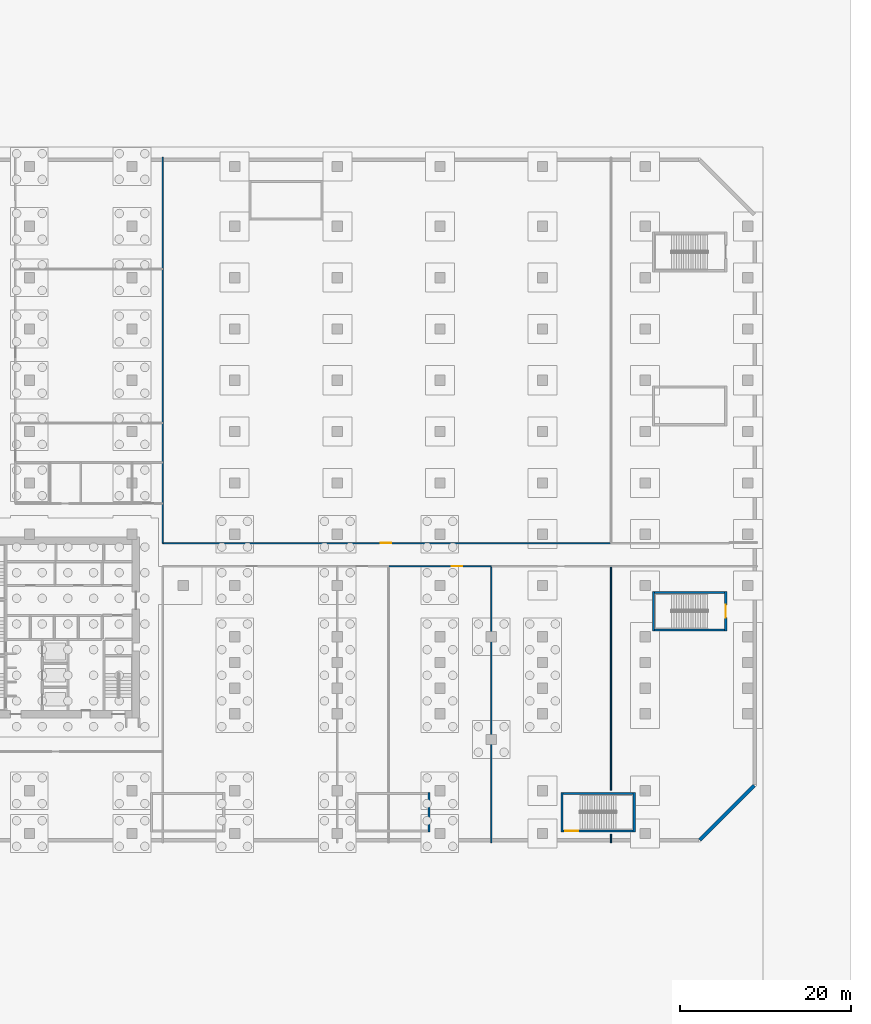
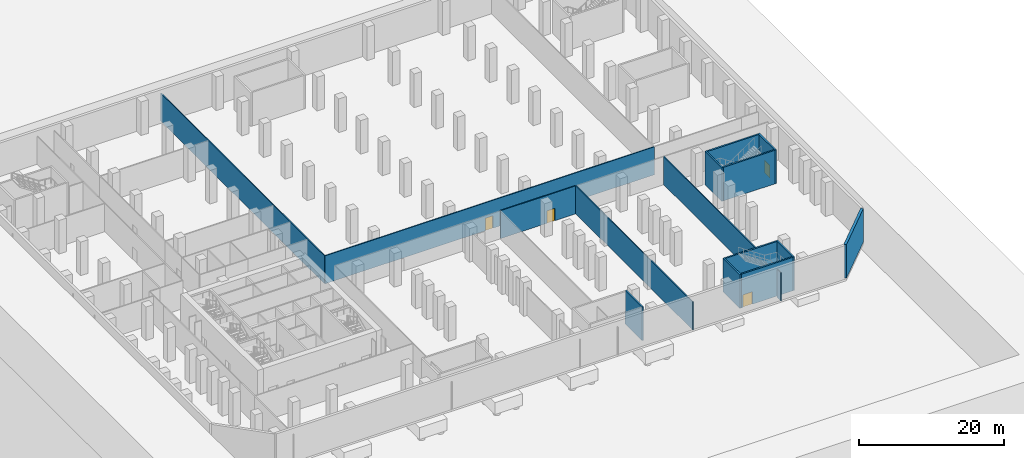
# One storey, part 9 of 16: 16 walls, 4 doors, 4 openings.
"""IFC4 building model written with IfcOpenShell, lengths in metres."""

from ifc_helpers import new_model, si_unit, direction, frame, frame_2d, origin, place, context, subcontext, project, spatial, rectangle, extrude, material, layer, layer_set, type_object, element, fill, save


model = new_model("IFC4")

# Units and contexts
model_context = context("Model", 3, precision=1e-05, world=origin(), true_north=direction((0.0, 1.0)))
body_context = subcontext(model_context, "Body", "Model", "MODEL_VIEW")
ifc_project = project(units=[si_unit("LENGTHUNIT", "METRE"), si_unit("AREAUNIT", "SQUARE_METRE"), si_unit("VOLUMEUNIT", "CUBIC_METRE"), si_unit("PLANEANGLEUNIT", "RADIAN"), si_unit("MASSUNIT", "GRAM", prefix="KILO")], contexts=[model_context])

# Site, building, storey
site_placement = place(None, origin())
site = spatial("IfcSite", under=ifc_project, at=site_placement, CompositionType="ELEMENT")
building_placement = place(site_placement, origin())
building = spatial("IfcBuilding", under=site, at=building_placement, Name="Welwitschia Terrace Campus", CompositionType="ELEMENT")
storey_placement = place(building_placement, frame((0.0, 0.0, -6.0)))
storey = spatial("IfcBuildingStorey", under=building, at=storey_placement, Name="B1", CompositionType="ELEMENT", Elevation=-6.0)

# Walls
ifc_material_1 = material(Name="Concrete C50/60", Category="concrete")
ifc_layer_1 = layer(ifc_material_1, 0.25)
ifc_layer_set_1 = layer_set([ifc_layer_1], Name="Concrete C50/60")
wall_type_1 = type_object("IfcWallType", Name="Core wall 250 Concrete C50/60", PredefinedType="SHEAR", material=ifc_layer_set_1)
for number, where, z_axis, x_axis, name in (
    (1, (74.27490234375, -8.824951171875, 0.0), (0.0, 0.0, 1.0), (0.0, 1.0, 0.0), "Core wall"),
    (2, (82.72509765625, -8.824951171875, 0.0), (0.0, 0.0, 1.0), (0.0, 1.0, 0.0), "Core wall"),
):
    element("IfcWall", number, at=place(storey_placement, frame(where, z_axis=z_axis, x_axis=x_axis)), inside=storey, type_object=wall_type_1, Name=name, PredefinedType="SHEAR", context=body_context, shape_type="SweptSolid", body=[
        extrude(rectangle(XDim=4.64990234375, YDim=0.25, at=frame_2d((2.324951171875, 0.0))), origin(), (0.0, 0.0, 1.0), 5.64990234375),
    ])

# Wall, opening, door
wall_1_placement = place(storey_placement, frame((82.60009765625, -8.699951171875, 0.0), z_axis=(0.0, 0.0, 1.0), x_axis=(-1.0, 0.0, 0.0)))
wall_1 = element("IfcWall", 3, at=wall_1_placement, inside=storey, type_object=wall_type_1, Name="Core wall", PredefinedType="SHEAR", context=body_context, shape_type="SweptSolid", body=[
    extrude(rectangle(XDim=8.2001953125, YDim=0.25, at=frame_2d((4.10009765625, 0.0))), origin(), (0.0, 0.0, 1.0), 5.64990234375),
])
opening_1_placement = place(wall_1_placement, frame((6.449951171875, 0.0, 0.0)))
opening_1 = element("IfcOpeningElement", 4, at=opening_1_placement, cuts=wall_1, Name="Opening DS15", PredefinedType="OPENING", context=body_context, shape_type="SweptSolid", body=[
    extrude(rectangle(XDim=1.5, YDim=2.10009765625, at=frame_2d((0.75, 1.050048828125))), frame((0.0, 0.135009765625, 0.0), z_axis=(0.0, -1.0, 0.0), x_axis=(1.0, 0.0, 0.0)), (0.0, 0.0, 1.0), 0.27001953125),
])
ifc_material_2 = material(Name="Steel S275", Category="steel")
door_type_1 = type_object("IfcDoorType", Name="Core door DS15", OperationType="DOUBLE_DOOR_SINGLE_SWING", PredefinedType="DOOR", material=ifc_material_2)
door_1_placement = place(opening_1_placement, origin())
door_1 = element("IfcDoor", 5, at=door_1_placement, inside=storey, type_object=door_type_1, Name="Door P5", OperationType="DOUBLE_DOOR_SINGLE_SWING", OverallHeight=2.10009765625, OverallWidth=1.5, PredefinedType="DOOR", context=body_context, shape_type="SweptSolid", body=[
    extrude(rectangle(XDim=1.5, YDim=2.10009765625, at=frame_2d((0.75, 1.050048828125))), frame((0.0, 0.02490234375, 0.0), z_axis=(0.0, -1.0, 0.0), x_axis=(1.0, 0.0, 0.0)), (0.0, 0.0, 1.0), 0.050048828125),
])
fill(opening_1, door_1)

# Walls
wall_2_placement = place(storey_placement, frame((74.39990234375, -4.300048828125, 0.0), z_axis=(0.0, 0.0, 1.0), x_axis=(1.0, 0.0, 0.0)))
element("IfcWall", 6, at=wall_2_placement, inside=storey, type_object=wall_type_1, Name="Core wall", PredefinedType="SHEAR", context=body_context, shape_type="SweptSolid", body=[
    extrude(rectangle(XDim=8.2001953125, YDim=0.25, at=frame_2d((4.10009765625, 0.0))), origin(), (0.0, 0.0, 1.0), 5.64990234375),
])
wall_3_placement = place(storey_placement, frame((84.97509765625, 14.675048828125, 0.0), z_axis=(0.0, 0.0, 1.0), x_axis=(0.0, 1.0, 0.0)))
element("IfcWall", 7, at=wall_3_placement, inside=storey, type_object=wall_type_1, Name="Core wall", PredefinedType="SHEAR", context=body_context, shape_type="SweptSolid", body=[
    extrude(rectangle(XDim=4.64990234375, YDim=0.25, at=frame_2d((2.324951171875, 0.0))), origin(), (0.0, 0.0, 1.0), 5.64990234375),
])

# Wall, opening, door
wall_4_placement = place(storey_placement, frame((93.425048828125, 19.324951171875, 0.0), z_axis=(0.0, 0.0, 1.0), x_axis=(0.0, -1.0, 0.0)))
wall_4 = element("IfcWall", 8, at=wall_4_placement, inside=storey, type_object=wall_type_1, Name="Core wall", PredefinedType="SHEAR", context=body_context, shape_type="SweptSolid", body=[
    extrude(rectangle(XDim=4.64990234375, YDim=0.25, at=frame_2d((2.324951171875, 0.0))), origin(), (0.0, 0.0, 1.0), 5.64990234375),
])
opening_2_placement = place(wall_4_placement, frame((1.574951171875, 0.0, 0.0)))
opening_2 = element("IfcOpeningElement", 9, at=opening_2_placement, cuts=wall_4, Name="Opening DS15", PredefinedType="OPENING", context=body_context, shape_type="SweptSolid", body=[
    extrude(rectangle(XDim=1.5, YDim=2.10009765625, at=frame_2d((0.75, 1.050048828125))), frame((0.0, 0.135009765625, 0.0), z_axis=(0.0, -1.0, 0.0), x_axis=(1.0, 0.0, 0.0)), (0.0, 0.0, 1.0), 0.27001953125),
])
door_2_placement = place(opening_2_placement, origin())
door_2 = element("IfcDoor", 10, at=door_2_placement, inside=storey, type_object=door_type_1, Name="Door P6", OperationType="DOUBLE_DOOR_SINGLE_SWING", OverallHeight=2.10009765625, OverallWidth=1.5, PredefinedType="DOOR", context=body_context, shape_type="SweptSolid", body=[
    extrude(rectangle(XDim=1.5, YDim=2.10009765625, at=frame_2d((0.75, 1.050048828125))), frame((0.0, 0.02490234375, 0.0), z_axis=(0.0, -1.0, 0.0), x_axis=(1.0, 0.0, 0.0)), (0.0, 0.0, 1.0), 0.050048828125),
])
fill(opening_2, door_2)

# Walls
for number, where, z_axis, x_axis, name in (
    (11, (85.10009765625, 14.800048828125, 0.0), (0.0, 0.0, 1.0), (1.0, 0.0, 0.0), "Core wall"),
    (12, (85.10009765625, 19.199951171875, 0.0), (0.0, 0.0, 1.0), (1.0, 0.0, 0.0), "Core wall"),
):
    element("IfcWall", number, at=place(storey_placement, frame(where, z_axis=z_axis, x_axis=x_axis)), inside=storey, type_object=wall_type_1, Name=name, PredefinedType="SHEAR", context=body_context, shape_type="SweptSolid", body=[
        extrude(rectangle(XDim=8.199951171875, YDim=0.25, at=frame_2d((4.10009765625, 0.0))), origin(), (0.0, 0.0, 1.0), 5.64990234375),
    ])
wall_5_placement = place(storey_placement, frame((58.72509765625, -8.824951171875, 0.0), z_axis=(0.0, 0.0, 1.0), x_axis=(0.0, 1.0, 0.0)))
element("IfcWall", 13, at=wall_5_placement, inside=storey, type_object=wall_type_1, Name="Core wall", PredefinedType="SHEAR", context=body_context, shape_type="SweptSolid", body=[
    extrude(rectangle(XDim=4.64990234375, YDim=0.25, at=frame_2d((2.324951171875, 0.0))), origin(), (0.0, 0.0, 1.0), 5.64990234375),
])
ifc_material_3 = material(Name="Gypsum board on steel studs", Category="steel")
ifc_layer_2 = layer(ifc_material_3, 0.14990234375)
ifc_layer_set_2 = layer_set([ifc_layer_2], Name="Gypsum board on steel studs")
wall_type_2 = type_object("IfcWallType", Name="Corridor partition 150 EI 30", PredefinedType="PARTITIONING", material=ifc_layer_set_2)
wall_6_placement = place(storey_placement, frame((27.60009765625, 24.949951171875, 0.0), z_axis=(0.0, 0.0, 1.0), x_axis=(0.0, 1.0, 0.0)))
element("IfcWall", 14, at=wall_6_placement, inside=storey, type_object=wall_type_2, Name="Partition", PredefinedType="PARTITIONING", context=body_context, shape_type="SweptSolid", body=[
    extrude(rectangle(XDim=45.14013671875, YDim=0.14990234375, at=frame_2d((22.570068359375, 0.0))), origin(), (0.0, 0.0, 1.0), 4.699951171875),
])

# Wall, opening, door
wall_7_placement = place(storey_placement, frame((27.60009765625, 24.949951171875, 0.0), z_axis=(0.0, 0.0, 1.0), x_axis=(1.0, 0.0, 0.0)))
wall_7 = element("IfcWall", 15, at=wall_7_placement, inside=storey, type_object=wall_type_2, Name="Partition", PredefinedType="PARTITIONING", context=body_context, shape_type="SweptSolid", body=[
    extrude(rectangle(XDim=52.39990234375, YDim=0.14990234375, at=frame_2d((26.199951171875, 0.0))), origin(), (0.0, 0.0, 1.0), 4.699951171875),
])
opening_3_placement = place(wall_7_placement, frame((25.5, 0.0, 0.0)))
opening_3 = element("IfcOpeningElement", 16, at=opening_3_placement, cuts=wall_7, Name="Opening DX12", PredefinedType="OPENING", context=body_context, shape_type="SweptSolid", body=[
    extrude(rectangle(XDim=1.199951171875, YDim=2.10009765625, at=frame_2d((0.60009765625, 1.050048828125))), frame((0.0, 0.0849609375, 0.0), z_axis=(0.0, -1.0, 0.0), x_axis=(1.0, 0.0, 0.0)), (0.0, 0.0, 1.0), 0.169921875),
])
ifc_material_4 = material(Name="Timber veneered door", Category="wood")
door_type_2 = type_object("IfcDoorType", Name="Interior door DX12", OperationType="NOTDEFINED", PredefinedType="DOOR", material=ifc_material_4)
door_3_placement = place(opening_3_placement, origin())
door_3 = element("IfcDoor", 17, at=door_3_placement, inside=storey, type_object=door_type_2, Name="Door B1 011", OperationType="SINGLE_SWING_RIGHT", OverallHeight=2.10009765625, OverallWidth=1.199951171875, PredefinedType="DOOR", context=body_context, shape_type="SweptSolid", body=[
    extrude(rectangle(XDim=1.199951171875, YDim=2.10009765625, at=frame_2d((0.60009765625, 1.050048828125))), frame((0.0, 0.02490234375, 0.0), z_axis=(0.0, -1.0, 0.0), x_axis=(1.0, 0.0, 0.0)), (0.0, 0.0, 1.0), 0.050048828125),
])
fill(opening_3, door_3)

# Wall
wall_8_placement = place(storey_placement, frame((66.0, -10.090087890625, 0.0), z_axis=(0.0, 0.0, 1.0), x_axis=(0.0, 1.0, 0.0)))
element("IfcWall", 18, at=wall_8_placement, inside=storey, type_object=wall_type_2, Name="Partition", PredefinedType="PARTITIONING", context=body_context, shape_type="SweptSolid", body=[
    extrude(rectangle(XDim=32.340087890625, YDim=0.14990234375, at=frame_2d((16.169921875, 0.0))), origin(), (0.0, 0.0, 1.0), 4.699951171875),
])

# Wall, opening, door
wall_9_placement = place(storey_placement, frame((66.0, 22.25, 0.0), z_axis=(0.0, 0.0, 1.0), x_axis=(-1.0, 0.0, 0.0)))
wall_9 = element("IfcWall", 19, at=wall_9_placement, inside=storey, type_object=wall_type_2, Name="Partition", PredefinedType="PARTITIONING", context=body_context, shape_type="SweptSolid", body=[
    extrude(rectangle(XDim=12.0, YDim=0.14990234375, at=frame_2d((6.0, 0.0))), origin(), (0.0, 0.0, 1.0), 4.699951171875),
])
opening_4_placement = place(wall_9_placement, frame((3.39990234375, 0.0, 0.0)))
opening_4 = element("IfcOpeningElement", 20, at=opening_4_placement, cuts=wall_9, Name="Opening DX12", PredefinedType="OPENING", context=body_context, shape_type="SweptSolid", body=[
    extrude(rectangle(XDim=1.199951171875, YDim=2.10009765625, at=frame_2d((0.60009765625, 1.050048828125))), frame((0.0, 0.0849609375, 0.0), z_axis=(0.0, -1.0, 0.0), x_axis=(1.0, 0.0, 0.0)), (0.0, 0.0, 1.0), 0.169921875),
])
door_4_placement = place(opening_4_placement, origin())
door_4 = element("IfcDoor", 21, at=door_4_placement, inside=storey, type_object=door_type_2, Name="Door B1 014", OperationType="SINGLE_SWING_LEFT", OverallHeight=2.10009765625, OverallWidth=1.199951171875, PredefinedType="DOOR", context=body_context, shape_type="SweptSolid", body=[
    extrude(rectangle(XDim=1.199951171875, YDim=2.10009765625, at=frame_2d((0.60009765625, 1.050048828125))), frame((0.0, 0.02490234375, 0.0), z_axis=(0.0, -1.0, 0.0), x_axis=(1.0, 0.0, 0.0)), (0.0, 0.0, 1.0), 0.050048828125),
])
fill(opening_4, door_4)

# Walls
wall_10_placement = place(storey_placement, frame((80.0, -10.090087890625, 0.0), z_axis=(0.0, 0.0, 1.0), x_axis=(0.0, 1.0, 0.0)))
element("IfcWall", 22, at=wall_10_placement, inside=storey, type_object=wall_type_2, Name="Partition", PredefinedType="PARTITIONING", context=body_context, shape_type="SweptSolid", body=[
    extrude(rectangle(XDim=1.02001953125, YDim=0.14990234375, at=frame_2d((0.510009765625, 0.0))), origin(), (0.0, 0.0, 1.0), 4.699951171875),
])
wall_11_placement = place(storey_placement, frame((80.0, -3.919921875, 0.0), z_axis=(0.0, 0.0, 1.0), x_axis=(0.0, 1.0, 0.0)))
element("IfcWall", 23, at=wall_11_placement, inside=storey, type_object=wall_type_2, Name="Partition", PredefinedType="PARTITIONING", context=body_context, shape_type="SweptSolid", body=[
    extrude(rectangle(XDim=26.169921875, YDim=0.14990234375, at=frame_2d((13.0849609375, 0.0))), origin(), (0.0, 0.0, 1.0), 4.699951171875),
])
ifc_material_5 = material(Name="Concrete C40/50", Category="concrete")
ifc_layer_3 = layer(ifc_material_5, 0.39990234375)
ifc_layer_set_3 = layer_set([ifc_layer_3], Name="Concrete C40/50")
wall_type_3 = type_object("IfcWallType", Name="Retaining wall 400", PredefinedType="SOLIDWALL", material=ifc_layer_set_3)
wall_12_placement = place(storey_placement, frame((90.389892578125, -9.741455078125, 0.0), z_axis=(0.0, 0.0, 1.0), x_axis=(0.707106781187, 0.707106781187, 0.0)))
element("IfcWall", 24, at=wall_12_placement, inside=storey, type_object=wall_type_3, Name="Basement retaining wall 2", PredefinedType="SOLIDWALL", context=body_context, shape_type="SweptSolid", body=[
    extrude(rectangle(XDim=8.982421875, YDim=0.39990234375, at=frame_2d((4.4912109375, 0.0))), origin(), (0.0, 0.0, 1.0), 5.64990234375),
])

save(model, "model.ifc")
